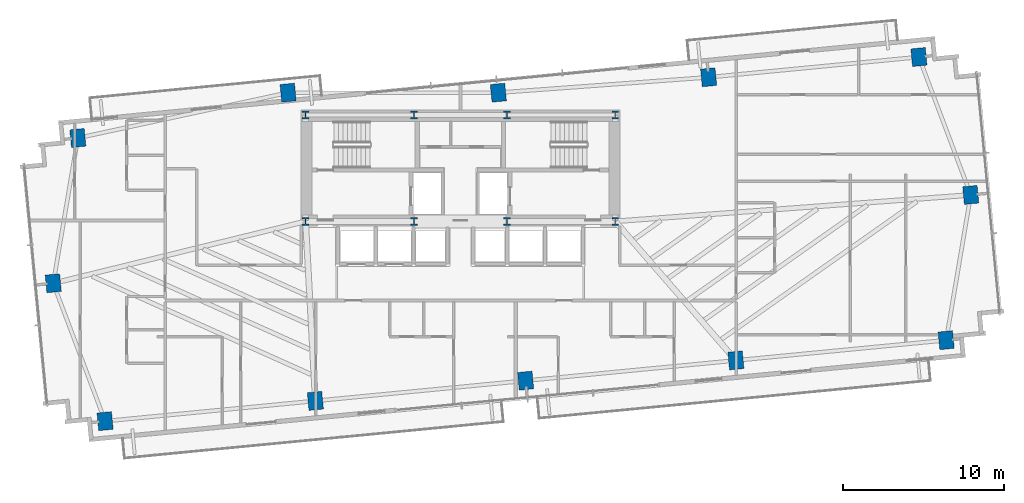
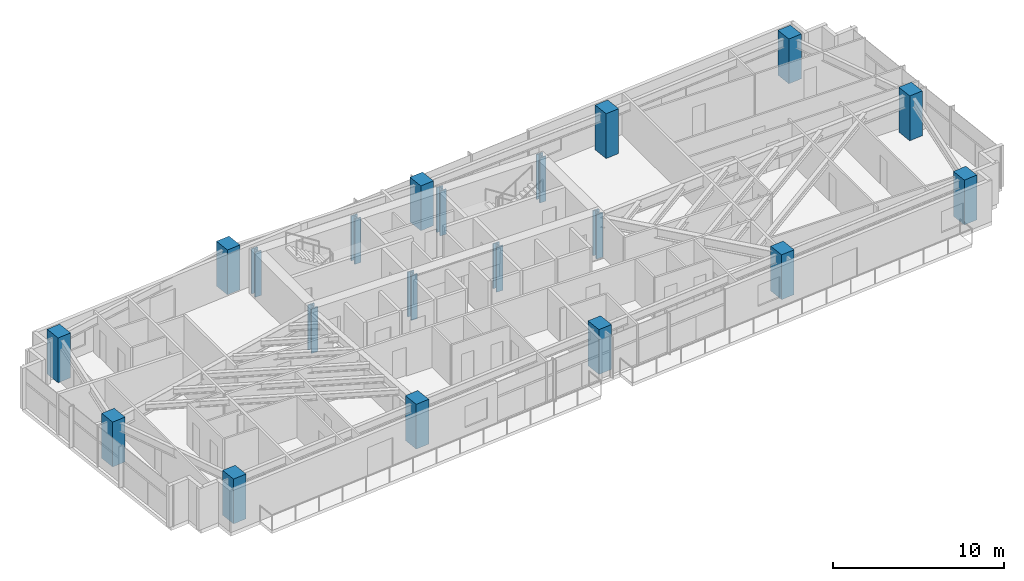
# One storey, part 1 of 27: 20 columns.
"""IFC4 building model written with IfcOpenShell, lengths in metres."""

from ifc_helpers import new_model, si_unit, direction, frame, origin, origin_2d, place, context, subcontext, project, spatial, rectangle, i_section, extrude, source, transform, mapped, material, material_profile, profile_set, type_object, type_shapes, element, save


model = new_model("IFC4")

# Units and contexts
model_context = context("Model", 3, precision=1e-05, world=origin(), true_north=direction((0.0, 1.0)))
body_context = subcontext(model_context, "Body", "Model", "MODEL_VIEW")
ifc_project = project(units=[si_unit("LENGTHUNIT", "METRE"), si_unit("AREAUNIT", "SQUARE_METRE"), si_unit("VOLUMEUNIT", "CUBIC_METRE"), si_unit("PLANEANGLEUNIT", "RADIAN"), si_unit("MASSUNIT", "GRAM", prefix="KILO")], contexts=[model_context])

# Site, building, storey
site_placement = place(None, origin())
site = spatial("IfcSite", under=ifc_project, at=site_placement, CompositionType="ELEMENT")
building_placement = place(site_placement, origin())
building = spatial("IfcBuilding", under=site, at=building_placement, Name="Astriad Promenade Condominiums", CompositionType="ELEMENT")
storey_placement = place(building_placement, frame((0.0, 0.0, 87.39990234375)))
storey = spatial("IfcBuildingStorey", under=building, at=storey_placement, Name="L24", CompositionType="ELEMENT", Elevation=87.39990234375)

# Columns
ifc_material_1 = material(Name="Steel ASTM A992 Grade 50", Category="steel")
ifc_material_profile_1 = material_profile(ifc_material_1, i_section(OverallWidth=0.427490234375, OverallDepth=0.483154296875, WebThickness=0.05126953125, FlangeThickness=0.08154296875, FilletRadius=0.017822265625, at=origin_2d()), Name="W14X455")
ifc_profile_set_1 = profile_set([ifc_material_profile_1], Name="Steel ASTM A992 Grade 50")
column_type_1 = type_object("IfcColumnType", Name="STEEL CORE PILASTER W14X455", PredefinedType="PILASTER", material=ifc_profile_set_1)
shared_shape_1 = source(origin(), body_context, "Body", "SweptSolid", [
    extrude(i_section(OverallWidth=0.427490234375, OverallDepth=0.483154296875, WebThickness=0.05126953125, FlangeThickness=0.08154296875, FilletRadius=0.017822265625, at=origin_2d()), origin(), (0.0, 0.0, 1.0), 3.19580078125),
])
type_shapes(column_type_1, [shared_shape_1])
for number, where, z_axis, x_axis, name in (
    (1, (26.39990234375, 17.39990234375, 0.002197265625), (0.0, 0.0, 1.0), (1.0, 0.0, 0.0), "Core Pilaster Column CP1 (L24)"),
    (2, (33.1201171875, 17.39990234375, 0.002197265625), (0.0, 0.0, 1.0), (1.0, 0.0, 0.0), "Core Pilaster Column CP2 (L24)"),
    (3, (38.8798828125, 17.39990234375, 0.002197265625), (0.0, 0.0, 1.0), (1.0, 0.0, 0.0), "Core Pilaster Column CP3 (L24)"),
    (4, (45.60009765625, 17.39990234375, 0.002197265625), (0.0, 0.0, 1.0), (1.0, 0.0, 0.0), "Core Pilaster Column CP4 (L24)"),
    (5, (26.39990234375, 24.0, 0.002197265625), (0.0, 0.0, 1.0), (1.0, 0.0, 0.0), "Core Pilaster Column CP5 (L24)"),
    (6, (33.1201171875, 24.0, 0.002197265625), (0.0, 0.0, 1.0), (1.0, 0.0, 0.0), "Core Pilaster Column CP6 (L24)"),
    (7, (38.8798828125, 24.0, 0.002197265625), (0.0, 0.0, 1.0), (1.0, 0.0, 0.0), "Core Pilaster Column CP7 (L24)"),
    (8, (45.60009765625, 24.0, 0.002197265625), (0.0, 0.0, 1.0), (1.0, 0.0, 0.0), "Core Pilaster Column CP8 (L24)"),
):
    element("IfcColumn", number, at=place(storey_placement, frame(where, z_axis=z_axis, x_axis=x_axis)), inside=storey, type_object=column_type_1, Name=name, PredefinedType="PILASTER", context=body_context, shape_type="MappedRepresentation", body=[
        mapped(shared_shape_1, transform((0.0, 0.0, 0.0), scale=1.0)),
    ])
ifc_material_2 = material(Name="Concrete C60/75", Category="concrete")
ifc_material_profile_2 = material_profile(ifc_material_2, rectangle(XDim=0.89990234375, YDim=1.10009765625, at=origin_2d()), Name="RC-COL-1100X900")
ifc_profile_set_2 = profile_set([ifc_material_profile_2], Name="Concrete C60/75")
column_type_2 = type_object("IfcColumnType", Name="CONCRETE TOWER COLUMN 1100X900", PredefinedType="COLUMN", material=ifc_profile_set_2)
shared_shape_2 = source(origin(), body_context, "Body", "SweptSolid", [
    extrude(rectangle(XDim=0.89990234375, YDim=1.10009765625, at=origin_2d()), origin(), (0.0, 0.0, 1.0), 3.19580078125),
])
type_shapes(column_type_2, [shared_shape_2])
for number, where, z_axis, x_axis, name in (
    (9, (13.966064453125, 5.009521484375, 0.002197265625), (0.0, 0.0, 1.0), (0.995396198367, 0.09584575252, 0.0), "Perimeter Column PC01 (L24)"),
    (10, (27.005615234375, 6.264892578125, 0.002197265625), (0.0, 0.0, 1.0), (0.995396198367, 0.09584575252, 0.0), "Perimeter Column PC02 (L24)"),
    (11, (40.04541015625, 7.5205078125, 0.002197265625), (0.0, 0.0, 1.0), (0.995396198367, 0.09584575252, 0.0), "Perimeter Column PC03 (L24)"),
    (12, (53.0849609375, 8.776123046875, 0.002197265625), (0.0, 0.0, 1.0), (0.995396198367, 0.09584575252, 0.0), "Perimeter Column PC04 (L24)"),
    (13, (66.124755859375, 10.03173828125, 0.002197265625), (0.0, 0.0, 1.0), (0.995396198367, 0.09584575252, 0.0), "Perimeter Column PC05 (L24)"),
    (14, (12.275390625, 22.568115234375, 0.002197265625), (0.0, 0.0, 1.0), (0.995396198367, 0.09584575252, 0.0), "Perimeter Column PC06 (L24)"),
    (15, (25.31494140625, 25.3798828125, 0.002197265625), (0.0, 0.0, 1.0), (0.995396198367, 0.09584575252, 0.0), "Perimeter Column PC07 (L24)"),
    (16, (38.3544921875, 25.3798828125, 0.002197265625), (0.0, 0.0, 1.0), (0.995396198367, 0.09584575252, 0.0), "Perimeter Column PC08 (L24)"),
    (17, (51.394287109375, 26.3349609375, 0.002197265625), (0.0, 0.0, 1.0), (0.995396198367, 0.09584575252, 0.0), "Perimeter Column PC09 (L24)"),
    (18, (64.43408203125, 27.590576171875, 0.002197265625), (0.0, 0.0, 1.0), (0.995396198367, 0.09584575252, 0.0), "Perimeter Column PC10 (L24)"),
    (19, (10.751708984375, 13.560791015625, 0.002197265625), (0.0, 0.0, 1.0), (0.995396198367, 0.09584575252, 0.0), "Perimeter Column PC11 (L24)"),
    (20, (67.6484375, 19.039306640625, 0.002197265625), (0.0, 0.0, 1.0), (0.995396198367, 0.09584575252, 0.0), "Perimeter Column PC12 (L24)"),
):
    element("IfcColumn", number, at=place(storey_placement, frame(where, z_axis=z_axis, x_axis=x_axis)), inside=storey, type_object=column_type_2, Name=name, PredefinedType="COLUMN", context=body_context, shape_type="MappedRepresentation", body=[
        mapped(shared_shape_2, transform((0.0, 0.0, 0.0), scale=1.0)),
    ])

save(model, "model.ifc")
